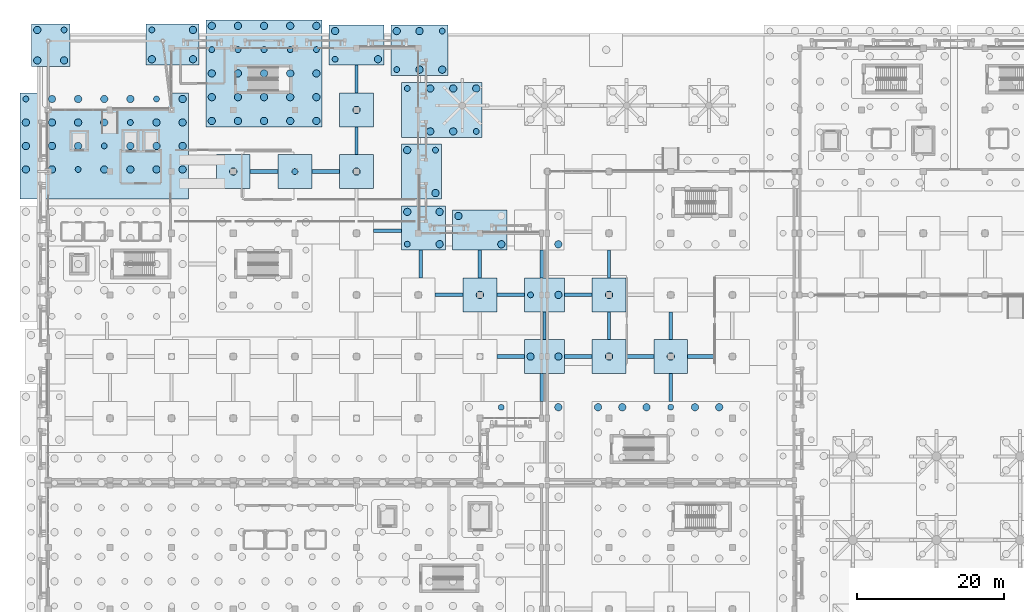
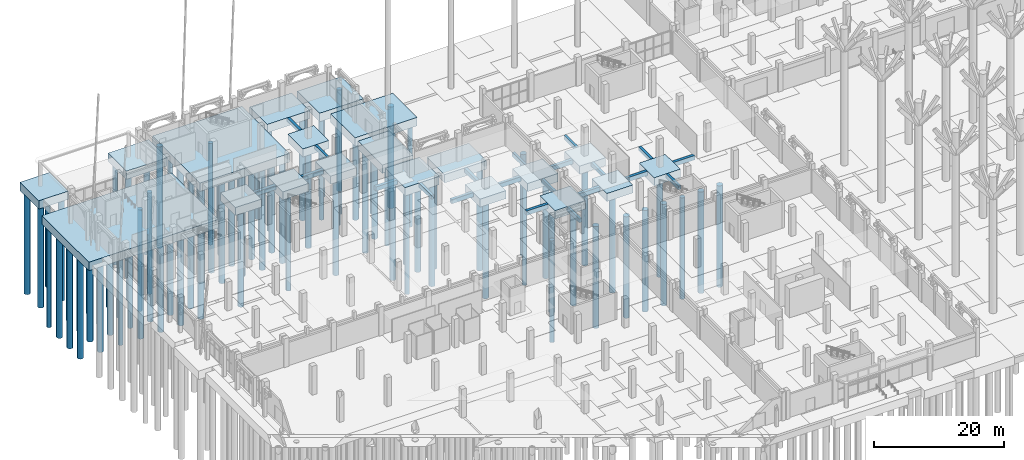
# One storey, part 5 of 98: 107 piles, 41 footings.
"""IFC4 building model written with IfcOpenShell, lengths in metres."""

import ifcopenshell
import ifcopenshell.guid

model = None  # the IFC model being written
_history = None  # IfcOwnerHistory: only IFC2X3 demands one
_inside = {}  # id of a spatial element -> (the spatial element, [elements in it])
_under = {}  # id of a project, library or spatial element -> (it, [spatial elements below it])
_declared = {}  # id of a project -> (the project, [libraries it declares])
_typed = {}  # id of a type object -> (the type object, [elements of that type])
_made_of = {}  # id of a material, layer set ... -> (it, [elements and type objects made of it])


def new_model(schema):
    """Start an empty IFC model of exactly this schema.

    Asked for "IFC4X3", IfcOpenShell would pick the latest addendum, in which some entities
    have other attributes; the version numbers below select the first issue.
    IFC2X3 requires an IfcOwnerHistory on every rooted entity: one is made here for all.
    """
    global model, _history
    if schema == "IFC4X3":
        model = ifcopenshell.file(schema_version=(4, 3, 0, 0))
    else:
        model = ifcopenshell.file(schema=schema)
    _inside.clear()
    _under.clear()
    _declared.clear()
    _typed.clear()
    _made_of.clear()
    _history = None
    if model.schema == "IFC2X3":
        org = make("IfcOrganization", Name="unknown")
        user = make(
            "IfcPersonAndOrganization",
            ThePerson=make("IfcPerson", FamilyName="unknown"),
            TheOrganization=org,
        )
        app = make(
            "IfcApplication",
            ApplicationDeveloper=org,
            Version="unknown",
            ApplicationFullName="unknown",
            ApplicationIdentifier="unknown",
        )
        _history = make(
            "IfcOwnerHistory",
            OwningUser=user,
            OwningApplication=app,
            ChangeAction="ADDED",
            CreationDate=0,
        )
    return model


def make(cls, **values):
    """One entity of the class cls with the attributes given. An attribute that is None is left unset."""
    return model.create_entity(
        cls, **{name: value for name, value in values.items() if value is not None}
    )


def rooted(cls, **values):
    """An entity with a GlobalId (a new one), such as an element, a storey or a relation."""
    return make(cls, GlobalId=ifcopenshell.guid.new(), OwnerHistory=_history, **values)


def si_unit(unit_type, name, prefix=None):
    """IfcSIUnit, for example si_unit("LENGTHUNIT", "METRE", prefix="MILLI")."""
    return make("IfcSIUnit", UnitType=unit_type, Prefix=prefix, Name=name)


def assignment(units):
    """IfcUnitAssignment: the units of a project."""
    return None if units is None else make("IfcUnitAssignment", Units=units)


def point(xyz):
    """IfcCartesianPoint."""
    return None if xyz is None else make("IfcCartesianPoint", Coordinates=xyz)


def direction(xyz):
    """IfcDirection."""
    return None if xyz is None else make("IfcDirection", DirectionRatios=xyz)


def frame(location, z_axis=None, x_axis=None):
    """IfcAxis2Placement3D, a coordinate frame: its origin and axes. An axis left out is left unset."""
    return make(
        "IfcAxis2Placement3D",
        Location=point(location),
        Axis=direction(z_axis),
        RefDirection=direction(x_axis),
    )


def frame_2d(location, x_axis=None):
    """IfcAxis2Placement2D, a coordinate frame in the plane: its origin and x axis."""
    return make(
        "IfcAxis2Placement2D", Location=point(location), RefDirection=direction(x_axis)
    )


def origin():
    """The frame at (0, 0, 0) with its axes left unset."""
    return frame((0.0, 0.0, 0.0))


def origin_2d():
    """The frame at (0, 0) in the plane with its x axis left unset."""
    return frame_2d((0.0, 0.0))


def place(relative_to, where):
    """IfcLocalPlacement: puts the frame where relative to a parent placement (None: the world)."""
    return make(
        "IfcLocalPlacement", PlacementRelTo=relative_to, RelativePlacement=where
    )


def context(
    kind, dimensions, precision=None, world=None, true_north=None, identifier=None
):
    """IfcGeometricRepresentationContext, for example the 3D "Model" context."""
    return make(
        "IfcGeometricRepresentationContext",
        ContextIdentifier=identifier,
        ContextType=kind,
        CoordinateSpaceDimension=dimensions,
        Precision=precision,
        WorldCoordinateSystem=world,
        TrueNorth=true_north,
    )


def subcontext(parent, identifier, kind, view, scale=None):
    """IfcGeometricRepresentationSubContext, for example "Body" below "Model"."""
    return make(
        "IfcGeometricRepresentationSubContext",
        ContextIdentifier=identifier,
        ContextType=kind,
        ParentContext=parent,
        TargetScale=scale,
        TargetView=view,
    )


def project(units=None, contexts=None):
    """IfcProject with its units and contexts."""
    return rooted(
        "IfcProject",
        Name="project",
        RepresentationContexts=contexts,
        UnitsInContext=assignment(units),
    )


def spatial(cls, under=None, at=None, **own):
    """A site, building, storey or space (cls), placed at a placement, below another one or the project."""
    s = rooted(cls, ObjectPlacement=at, **own)
    if under is not None:
        _under.setdefault(under.id(), (under, []))[1].append(s)
    return s


def profile(cls, at=None, kind="AREA", **sizes):
    """A parametric profile (cls). Its sizes go by their IFC names, for example OverallWidth=200.0."""
    return make(cls, ProfileType=kind, Position=at, **sizes)


def rectangle(**sizes):
    """IfcRectangleProfileDef."""
    return profile("IfcRectangleProfileDef", **sizes)


def circle(**sizes):
    """IfcCircleProfileDef."""
    return profile("IfcCircleProfileDef", **sizes)


def extrude(swept, where, along, depth):
    """IfcExtrudedAreaSolid: the profile swept, set in the frame where, extruded along a direction by depth."""
    return make(
        "IfcExtrudedAreaSolid",
        SweptArea=swept,
        Position=where,
        ExtrudedDirection=direction(along),
        Depth=depth,
    )


def shape(context_of_items, identifier, shape_type, items):
    """IfcShapeRepresentation: the items that make up one representation, for example the "Body"."""
    return make(
        "IfcShapeRepresentation",
        ContextOfItems=context_of_items,
        RepresentationIdentifier=identifier,
        RepresentationType=shape_type,
        Items=items,
    )


def material(Name=None, Category=None):
    """IfcMaterial."""
    return make("IfcMaterial", Name=Name, Category=Category)


def material_profile(
    of_material, cross_section, Name=None, Category=None, Priority=None
):
    """IfcMaterialProfile: a cross section and its material."""
    return make(
        "IfcMaterialProfile",
        Name=Name,
        Material=of_material,
        Profile=cross_section,
        Priority=Priority,
        Category=Category,
    )


def profile_set(profiles, Name=None, composite=None):
    """IfcMaterialProfileSet."""
    return make(
        "IfcMaterialProfileSet",
        Name=Name,
        MaterialProfiles=profiles,
        CompositeProfile=composite,
    )


def made_of(thing, what):
    """Note that an element or type object is made of a material, layer set ...; save() writes the relation."""
    if what is not None:
        _made_of.setdefault(what.id(), (what, []))[1].append(thing)
    return thing


def type_object(cls, material=None, **own):
    """A type object (cls), such as IfcWallType, which elements share."""
    return made_of(rooted(cls, **own), material)


def element(
    cls,
    number,
    at=None,
    inside=None,
    cuts=None,
    type_object=None,
    material=None,
    context=None,
    identifier="Body",
    shape_type=None,
    held_by="IfcProductDefinitionShape",
    body=None,
    shapes=None,
    **own,
):
    """One element of the class cls, such as IfcWall. Its Tag is "e" and its number.

    at: its placement. inside: the storey or other place that contains it. cuts: it is an
    opening in that element (IfcRelVoidsElement). A single representation is given by context,
    identifier, shape_type and body (its items); several are given by shapes. held_by: the class
    of the entity that holds the representations. save() writes the other relations.
    """
    e = rooted(cls, Tag="e%d" % number, ObjectPlacement=at, **own)
    if body is not None:
        shapes = [shape(context, identifier, shape_type, body)]
    if shapes is not None:
        e.Representation = make(held_by, Representations=shapes)
    if inside is not None:
        _inside.setdefault(inside.id(), (inside, []))[1].append(e)
    if cuts is not None:
        rooted(
            "IfcRelVoidsElement", RelatingBuildingElement=cuts, RelatedOpeningElement=e
        )
    if type_object is not None:
        _typed.setdefault(type_object.id(), (type_object, []))[1].append(e)
    return made_of(e, material)


def aggregate(whole, parts):
    """IfcRelAggregates: a whole, such as a stair, and the parts it consists of."""
    return rooted("IfcRelAggregates", RelatingObject=whole, RelatedObjects=parts)


def save(model, path):
    """Write the relations noted so far, then the file.

    IfcRelAggregates (storeys below a building ...), IfcRelContainedInSpatialStructure (elements
    in a storey), IfcRelDefinesByType, IfcRelAssociatesMaterial and IfcRelDeclares: one each for
    every whole, place, type object, material and project.
    """
    for whole, parts in _under.values():
        aggregate(whole, parts)
    for where, things in _inside.values():
        rooted(
            "IfcRelContainedInSpatialStructure",
            RelatedElements=things,
            RelatingStructure=where,
        )
    for kind, things in _typed.values():
        rooted("IfcRelDefinesByType", RelatedObjects=things, RelatingType=kind)
    for what, things in _made_of.values():
        rooted("IfcRelAssociatesMaterial", RelatedObjects=things, RelatingMaterial=what)
    for by, libraries in _declared.values():
        rooted("IfcRelDeclares", RelatingContext=by, RelatedDefinitions=libraries)
    model.write(path)


model = new_model("IFC4")

# Units and contexts
model_context = context("Model", 3, precision=1e-05, world=origin(), true_north=direction((0.0, 1.0)))
body_context = subcontext(model_context, "Body", "Model", "MODEL_VIEW")
ifc_project = project(units=[si_unit("LENGTHUNIT", "METRE"), si_unit("AREAUNIT", "SQUARE_METRE"), si_unit("VOLUMEUNIT", "CUBIC_METRE"), si_unit("PLANEANGLEUNIT", "RADIAN"), si_unit("MASSUNIT", "GRAM", prefix="KILO")], contexts=[model_context])

# Site, building, storey
site_placement = place(None, origin())
site = spatial("IfcSite", under=ifc_project, at=site_placement, CompositionType="ELEMENT")
building_placement = place(site_placement, origin())
building = spatial("IfcBuilding", under=site, at=building_placement, Name="Xazarin Passage Department Store", CompositionType="ELEMENT")
storey_placement = place(building_placement, origin())
storey = spatial("IfcBuildingStorey", under=building, at=storey_placement, Name="L00", CompositionType="ELEMENT", Elevation=0.0)

# Footings
ifc_material = material(Name="Concrete C35/45", Category="concrete")
footing_type_1 = type_object("IfcFootingType", Name="STR-CAP-PC11", PredefinedType="PILE_CAP", material=ifc_material)
for number, where, z_axis, x_axis, name in (
    (1, (76.39990234375, 68.0, -1.5), (0.0, 0.0, 1.0), (1.0, 0.0, 0.0), "Pile Cap 101"),
    (2, (84.800048828125, 68.0, -1.5), (0.0, 0.0, 1.0), (1.0, 0.0, 0.0), "Pile Cap 102"),
    (3, (58.800048828125, 76.39990234375, -1.5), (0.0, 0.0, 1.0), (1.0, 0.0, 0.0), "Pile Cap 108"),
    (4, (76.39990234375, 76.39990234375, -1.5), (0.0, 0.0, 1.0), (1.0, 0.0, 0.0), "Pile Cap 110"),
    (5, (25.199951171875, 93.199951171875, -1.5), (0.0, 0.0, 1.0), (1.0, 0.0, 0.0), "Pile Cap 138"),
    (6, (33.60009765625, 93.199951171875, -1.5), (0.0, 0.0, 1.0), (1.0, 0.0, 0.0), "Pile Cap 139"),
    (7, (42.0, 93.199951171875, -1.5), (0.0, 0.0, 1.0), (1.0, 0.0, 0.0), "Pile Cap 140"),
    (8, (42.0, 101.60009765625, -1.5), (0.0, 0.0, 1.0), (1.0, 0.0, 0.0), "Pile Cap 152"),
):
    element("IfcFooting", number, at=place(storey_placement, frame(where, z_axis=z_axis, x_axis=x_axis)), inside=storey, type_object=footing_type_1, Name=name, PredefinedType="PILE_CAP", context=body_context, shape_type="SweptSolid", body=[
        extrude(rectangle(XDim=4.60009765625, YDim=4.60009765625, at=origin_2d()), origin(), (0.0, 0.0, 1.0), 1.5),
    ])
footing_type_2 = type_object("IfcFootingType", Name="STR-CAP-PC13", PredefinedType="PILE_CAP", material=ifc_material)
for number, where, z_axis, x_axis, name in (
    (9, (67.60009765625, 68.0, -1.5498046875), (0.0, 0.0, 1.0), (1.0, 0.0, 0.0), "Pile Cap 100"),
    (10, (67.60009765625, 76.39990234375, -1.5498046875), (0.0, 0.0, 1.0), (1.0, 0.0, 0.0), "Pile Cap 109"),
):
    element("IfcFooting", number, at=place(storey_placement, frame(where, z_axis=z_axis, x_axis=x_axis)), inside=storey, type_object=footing_type_2, Name=name, PredefinedType="PILE_CAP", context=body_context, shape_type="SweptSolid", body=[
        extrude(rectangle(XDim=5.39990234375, YDim=4.60009765625, at=origin_2d()), origin(), (0.0, 0.0, 1.0), 1.550048828125),
    ])
footing_type_3 = type_object("IfcFootingType", Name="STR-CAP-PC15", PredefinedType="PILE_CAP", material=ifc_material)
footing_1_placement = place(storey_placement, frame((51.110107421875, 85.510009765625, -1.5498046875), z_axis=(0.0, 0.0, 1.0), x_axis=(1.0, 0.0, 0.0)))
element("IfcFooting", 11, at=footing_1_placement, inside=storey, type_object=footing_type_3, Name="Pile Cap 124", PredefinedType="PILE_CAP", context=body_context, shape_type="SweptSolid", body=[
    extrude(rectangle(XDim=6.0, YDim=6.0, at=origin_2d()), origin(), (0.0, 0.0, 1.0), 1.550048828125),
])
footing_type_4 = type_object("IfcFootingType", Name="STR-CAP-PC30", PredefinedType="PILE_CAP", material=ifc_material)
footing_2_placement = place(storey_placement, frame((7.625, 96.68994140625, -1.60009765625), z_axis=(0.0, 0.0, 1.0), x_axis=(1.0, 0.0, 0.0)))
element("IfcFooting", 12, at=footing_2_placement, inside=storey, type_object=footing_type_4, Name="Pile Cap 136", PredefinedType="PILE_CAP", context=body_context, shape_type="SweptSolid", body=[
    extrude(rectangle(XDim=22.949951171875, YDim=14.39990234375, at=origin_2d()), origin(), (0.0, 0.0, 1.0), 1.60009765625),
])
footing_type_5 = type_object("IfcFootingType", Name="STR-CAP-PC33", PredefinedType="PILE_CAP", material=ifc_material)
footing_3_placement = place(storey_placement, frame((53.60009765625, 101.60009765625, -1.60009765625), z_axis=(0.0, 0.0, 1.0), x_axis=(1.0, 0.0, 0.0)))
element("IfcFooting", 13, at=footing_3_placement, inside=storey, type_object=footing_type_5, Name="Pile Cap 149", PredefinedType="PILE_CAP", context=body_context, shape_type="SweptSolid", body=[
    extrude(rectangle(XDim=11.0, YDim=7.449951171875, at=origin_2d()), origin(), (0.0, 0.0, 1.0), 1.60009765625),
])
footing_type_6 = type_object("IfcFootingType", Name="STR-CAP-PC35", PredefinedType="PILE_CAP", material=ifc_material)
footing_4_placement = place(storey_placement, frame((29.39990234375, 106.574951171875, -1.60009765625), z_axis=(0.0, 0.0, 1.0), x_axis=(1.0, 0.0, 0.0)))
element("IfcFooting", 14, at=footing_4_placement, inside=storey, type_object=footing_type_6, Name="Pile Cap 151", PredefinedType="PILE_CAP", context=body_context, shape_type="SweptSolid", body=[
    extrude(rectangle(XDim=15.85009765625, YDim=14.550048828125, at=origin_2d()), origin(), (0.0, 0.0, 1.0), 1.60009765625),
])
footing_type_7 = type_object("IfcFootingType", Name="STR-CAP-PC36", PredefinedType="PILE_CAP", material=ifc_material)
footing_5_placement = place(storey_placement, frame((50.570068359375, 109.715087890625, -1.60009765625), z_axis=(0.0, 0.0, 1.0), x_axis=(1.0, 0.0, 0.0)))
element("IfcFooting", 15, at=footing_5_placement, inside=storey, type_object=footing_type_7, Name="Pile Cap 159", PredefinedType="PILE_CAP", context=body_context, shape_type="SweptSolid", body=[
    extrude(rectangle(XDim=7.800048828125, YDim=6.85009765625, at=origin_2d()), origin(), (0.0, 0.0, 1.0), 1.60009765625),
])
footing_type_8 = type_object("IfcFootingType", Name="STR-CAP-PC37", PredefinedType="PILE_CAP", material=ifc_material)
footing_6_placement = place(storey_placement, frame((0.330078125, 110.419921875, -1.5498046875), z_axis=(0.0, 0.0, 1.0), x_axis=(0.0, 1.0, 0.0)))
element("IfcFooting", 16, at=footing_6_placement, inside=storey, type_object=footing_type_8, Name="Pile Cap 161", PredefinedType="PILE_CAP", context=body_context, shape_type="SweptSolid", body=[
    extrude(rectangle(XDim=5.75, YDim=5.25, at=origin_2d()), origin(), (0.0, 0.0, 1.0), 1.550048828125),
])
footing_type_9 = type_object("IfcFootingType", Name="STR-CAP-PC38", PredefinedType="PILE_CAP", material=ifc_material)
footing_7_placement = place(storey_placement, frame((16.909912109375, 110.5, -1.5498046875), z_axis=(0.0, 0.0, 1.0), x_axis=(1.0, 0.0, 0.0)))
element("IfcFooting", 17, at=footing_7_placement, inside=storey, type_object=footing_type_9, Name="Pile Cap 163", PredefinedType="PILE_CAP", context=body_context, shape_type="SweptSolid", body=[
    extrude(rectangle(XDim=7.199951171875, YDim=5.60009765625, at=origin_2d()), origin(), (0.0, 0.0, 1.0), 1.550048828125),
])
footing_type_10 = type_object("IfcFootingType", Name="STR-CAP-PC8", PredefinedType="PILE_CAP", material=ifc_material)
for number, where, z_axis, x_axis, name in (
    (18, (58.800048828125, 85.22509765625, -1.5498046875), (0.0, 0.0, 1.0), (1.0, 0.0, 0.0), "Pile Cap 125"),
    (19, (50.824951171875, 93.199951171875, -1.5498046875), (0.0, 0.0, 1.0), (0.0, 1.0, 0.0), "Pile Cap 137"),
    (20, (42.0, 110.425048828125, -1.5498046875), (0.0, 0.0, 1.0), (1.0, 0.0, 0.0), "Pile Cap 164"),
):
    element("IfcFooting", number, at=place(storey_placement, frame(where, z_axis=z_axis, x_axis=x_axis)), inside=storey, type_object=footing_type_10, Name=name, PredefinedType="PILE_CAP", context=body_context, shape_type="SweptSolid", body=[
        extrude(rectangle(XDim=7.449951171875, YDim=5.449951171875, at=origin_2d()), origin(), (0.0, 0.0, 1.0), 1.550048828125),
    ])
ifc_material_profile_1 = material_profile(ifc_material, rectangle(XDim=0.449951171875, YDim=0.699951171875, at=origin_2d()), Name="RC 450x700")
ifc_profile_set_1 = profile_set([ifc_material_profile_1], Name="Concrete C35/45")
footing_type_11 = type_object("IfcFootingType", Name="STR-FTG-TB450x700", PredefinedType="FOOTING_BEAM", material=ifc_profile_set_1)
for number, where, z_axis, x_axis, name in (
    (21, (84.800048828125, 61.89990234375, -0.35009765625), (0.0, 1.0, 0.0), (-1.0, 0.0, 0.0), "Ground Tie Beam 068"),
    (22, (67.2451171875, 61.89990234375, -0.35009765625), (0.0, 1.0, 0.0), (-1.0, 0.0, 0.0), "Ground Tie Beam 079"),
    (23, (67.60009765625, 70.300048828125, -0.35009765625), (0.0, 1.0, 0.0), (-1.0, 0.0, 0.0), "Ground Tie Beam 105"),
    (24, (76.39990234375, 70.300048828125, -0.35009765625), (0.0, 1.0, 0.0), (-1.0, 0.0, 0.0), "Ground Tie Beam 107"),
    (25, (84.800048828125, 70.300048828125, -0.35009765625), (0.0, 1.0, 0.0), (-1.0, 0.0, 0.0), "Ground Tie Beam 109"),
):
    element("IfcFooting", number, at=place(storey_placement, frame(where, z_axis=z_axis, x_axis=x_axis)), inside=storey, type_object=footing_type_11, Name=name, PredefinedType="FOOTING_BEAM", context=body_context, shape_type="SweptSolid", body=[
        extrude(rectangle(XDim=0.449951171875, YDim=0.699951171875, at=origin_2d()), origin(), (0.0, 0.0, 1.0), 3.800048828125),
    ])
footing_8_placement = place(storey_placement, frame((50.7548828125, 78.699951171875, -0.35009765625), z_axis=(0.0, 1.0, 0.0), x_axis=(-1.0, 0.0, 0.0)))
element("IfcFooting", 26, at=footing_8_placement, inside=storey, type_object=footing_type_11, Name="Ground Tie Beam 115", PredefinedType="FOOTING_BEAM", context=body_context, shape_type="SweptSolid", body=[
    extrude(rectangle(XDim=0.449951171875, YDim=0.699951171875, at=origin_2d()), origin(), (0.0, 0.0, 1.0), 3.81005859375),
])
for number, where, z_axis, x_axis, name in (
    (27, (58.800048828125, 78.699951171875, -0.35009765625), (0.0, 1.0, 0.0), (-1.0, 0.0, 0.0), "Ground Tie Beam 117"),
    (28, (67.2451171875, 78.699951171875, -0.35009765625), (0.0, 1.0, 0.0), (-1.0, 0.0, 0.0), "Ground Tie Beam 119"),
    (29, (76.39990234375, 78.699951171875, -0.35009765625), (0.0, 1.0, 0.0), (-1.0, 0.0, 0.0), "Ground Tie Beam 121"),
    (30, (42.0, 95.5, -0.35009765625), (0.0, 1.0, 0.0), (-1.0, 0.0, 0.0), "Ground Tie Beam 154"),
    (31, (42.0, 103.89990234375, -0.35009765625), (0.0, 1.0, 0.0), (-1.0, 0.0, 0.0), "Ground Tie Beam 165"),
):
    element("IfcFooting", number, at=place(storey_placement, frame(where, z_axis=z_axis, x_axis=x_axis)), inside=storey, type_object=footing_type_11, Name=name, PredefinedType="FOOTING_BEAM", context=body_context, shape_type="SweptSolid", body=[
        extrude(rectangle(XDim=0.449951171875, YDim=0.699951171875, at=origin_2d()), origin(), (0.0, 0.0, 1.0), 3.800048828125),
    ])
ifc_material_profile_2 = material_profile(ifc_material, rectangle(XDim=0.5, YDim=0.800048828125, at=origin_2d()), Name="RC 500x800")
ifc_profile_set_2 = profile_set([ifc_material_profile_2], Name="Concrete C35/45")
footing_type_12 = type_object("IfcFootingType", Name="STR-FTG-TB500x800", PredefinedType="FOOTING_BEAM", material=ifc_profile_set_2)
footing_9_placement = place(storey_placement, frame((61.10009765625, 68.0, -0.39990234375), z_axis=(1.0, 0.0, 0.0), x_axis=(0.0, 1.0, 0.0)))
element("IfcFooting", 32, at=footing_9_placement, inside=storey, type_object=footing_type_12, Name="Ground Tie Beam 102", PredefinedType="FOOTING_BEAM", context=body_context, shape_type="SweptSolid", body=[
    extrude(rectangle(XDim=0.5, YDim=0.800048828125, at=origin_2d()), origin(), (0.0, 0.0, 1.0), 3.7998046875),
])
for number, where, z_axis, x_axis, name in (
    (33, (70.300048828125, 68.0, -0.39990234375), (1.0, 0.0, 0.0), (0.0, 1.0, 0.0), "Ground Tie Beam 104"),
    (34, (78.699951171875, 68.0, -0.39990234375), (1.0, 0.0, 0.0), (0.0, 1.0, 0.0), "Ground Tie Beam 106"),
):
    element("IfcFooting", number, at=place(storey_placement, frame(where, z_axis=z_axis, x_axis=x_axis)), inside=storey, type_object=footing_type_12, Name=name, PredefinedType="FOOTING_BEAM", context=body_context, shape_type="SweptSolid", body=[
        extrude(rectangle(XDim=0.5, YDim=0.800048828125, at=origin_2d()), origin(), (0.0, 0.0, 1.0), 3.800048828125),
    ])
footing_10_placement = place(storey_placement, frame((87.10009765625, 68.0, -0.39990234375), z_axis=(1.0, 0.0, 0.0), x_axis=(0.0, 1.0, 0.0)))
element("IfcFooting", 35, at=footing_10_placement, inside=storey, type_object=footing_type_12, Name="Ground Tie Beam 108", PredefinedType="FOOTING_BEAM", context=body_context, shape_type="SweptSolid", body=[
    extrude(rectangle(XDim=0.5, YDim=0.800048828125, at=origin_2d()), origin(), (0.0, 0.0, 1.0), 3.7998046875),
])
footing_11_placement = place(storey_placement, frame((52.699951171875, 76.39990234375, -0.39990234375), z_axis=(1.0, 0.0, 0.0), x_axis=(0.0, 1.0, 0.0)))
element("IfcFooting", 36, at=footing_11_placement, inside=storey, type_object=footing_type_12, Name="Ground Tie Beam 114", PredefinedType="FOOTING_BEAM", context=body_context, shape_type="SweptSolid", body=[
    extrude(rectangle(XDim=0.5, YDim=0.800048828125, at=origin_2d()), origin(), (0.0, 0.0, 1.0), 3.800048828125),
])
footing_12_placement = place(storey_placement, frame((61.10009765625, 76.39990234375, -0.39990234375), z_axis=(1.0, 0.0, 0.0), x_axis=(0.0, 1.0, 0.0)))
element("IfcFooting", 37, at=footing_12_placement, inside=storey, type_object=footing_type_12, Name="Ground Tie Beam 116", PredefinedType="FOOTING_BEAM", context=body_context, shape_type="SweptSolid", body=[
    extrude(rectangle(XDim=0.5, YDim=0.800048828125, at=origin_2d()), origin(), (0.0, 0.0, 1.0), 3.7998046875),
])
footing_13_placement = place(storey_placement, frame((70.300048828125, 76.39990234375, -0.39990234375), z_axis=(1.0, 0.0, 0.0), x_axis=(0.0, 1.0, 0.0)))
element("IfcFooting", 38, at=footing_13_placement, inside=storey, type_object=footing_type_12, Name="Ground Tie Beam 118", PredefinedType="FOOTING_BEAM", context=body_context, shape_type="SweptSolid", body=[
    extrude(rectangle(XDim=0.5, YDim=0.800048828125, at=origin_2d()), origin(), (0.0, 0.0, 1.0), 3.800048828125),
])
footing_14_placement = place(storey_placement, frame((44.300048828125, 85.155029296875, -0.39990234375), z_axis=(1.0, 0.0, 0.0), x_axis=(0.0, 1.0, 0.0)))
element("IfcFooting", 39, at=footing_14_placement, inside=storey, type_object=footing_type_12, Name="Ground Tie Beam 139", PredefinedType="FOOTING_BEAM", context=body_context, shape_type="SweptSolid", body=[
    extrude(rectangle(XDim=0.5, YDim=0.800048828125, at=origin_2d()), origin(), (0.0, 0.0, 1.0), 3.81005859375),
])
for number, where, z_axis, x_axis, name in (
    (40, (27.5, 93.199951171875, -0.39990234375), (1.0, 0.0, 0.0), (0.0, 1.0, 0.0), "Ground Tie Beam 152"),
    (41, (35.89990234375, 93.199951171875, -0.39990234375), (1.0, 0.0, 0.0), (0.0, 1.0, 0.0), "Ground Tie Beam 153"),
):
    element("IfcFooting", number, at=place(storey_placement, frame(where, z_axis=z_axis, x_axis=x_axis)), inside=storey, type_object=footing_type_12, Name=name, PredefinedType="FOOTING_BEAM", context=body_context, shape_type="SweptSolid", body=[
        extrude(rectangle(XDim=0.5, YDim=0.800048828125, at=origin_2d()), origin(), (0.0, 0.0, 1.0), 3.800048828125),
    ])

# Piles
ifc_material_profile_3 = material_profile(ifc_material, circle(Radius=0.5, at=origin_2d()), Name="BP 1000")
ifc_profile_set_3 = profile_set([ifc_material_profile_3], Name="Concrete C35/45")
pile_type_1 = type_object("IfcPileType", Name="STR-PIL-BP1000", PredefinedType="BORED", material=ifc_profile_set_3)
for number, where, z_axis, x_axis, name in (
    (42, (74.89990234375, 61.10009765625, -1.5), (0.0, 0.0, -1.0), (1.0, 0.0, 0.0), "Bored Pile 067-7"),
    (43, (78.199951171875, 61.10009765625, -1.5), (0.0, 0.0, -1.0), (1.0, 0.0, 0.0), "Bored Pile 067-14"),
    (44, (81.5, 61.10009765625, -1.5), (0.0, 0.0, -1.0), (1.0, 0.0, 0.0), "Bored Pile 067-21"),
    (45, (88.10009765625, 61.10009765625, -1.5), (0.0, 0.0, -1.0), (1.0, 0.0, 0.0), "Bored Pile 067-35"),
    (46, (91.39990234375, 61.10009765625, -1.5), (0.0, 0.0, -1.0), (1.0, 0.0, 0.0), "Bored Pile 067-42"),
):
    element("IfcPile", number, at=place(storey_placement, frame(where, z_axis=z_axis, x_axis=x_axis)), inside=storey, type_object=pile_type_1, Name=name, PredefinedType="BORED", context=body_context, shape_type="SweptSolid", body=[
        extrude(circle(Radius=0.5, at=origin_2d()), origin(), (0.0, 0.0, 1.0), 19.0),
    ])
for number, where, z_axis, x_axis, name in (
    (47, (69.489990234375, 61.10009765625, -1.449951171875), (0.0, 0.0, -1.0), (1.0, 0.0, 0.0), "Bored Pile 084-3"),
    (48, (65.699951171875, 68.0, -1.449951171875), (0.0, 0.0, -1.0), (1.0, 0.0, 0.0), "Bored Pile 100-1"),
    (49, (69.5, 68.0, -1.449951171875), (0.0, 0.0, -1.0), (1.0, 0.0, 0.0), "Bored Pile 100-2"),
):
    element("IfcPile", number, at=place(storey_placement, frame(where, z_axis=z_axis, x_axis=x_axis)), inside=storey, type_object=pile_type_1, Name=name, PredefinedType="BORED", context=body_context, shape_type="SweptSolid", body=[
        extrude(circle(Radius=0.5, at=origin_2d()), origin(), (0.0, 0.0, 1.0), 19.050048828125),
    ])
for number, where, z_axis, x_axis, name in (
    (50, (76.39990234375, 68.0, -1.39990234375), (0.0, 0.0, -1.0), (1.0, 0.0, 0.0), "Bored Pile 101-1"),
    (51, (84.800048828125, 68.0, -1.39990234375), (0.0, 0.0, -1.0), (1.0, 0.0, 0.0), "Bored Pile 102-1"),
    (52, (58.800048828125, 76.39990234375, -1.39990234375), (0.0, 0.0, -1.0), (1.0, 0.0, 0.0), "Bored Pile 108-1"),
):
    element("IfcPile", number, at=place(storey_placement, frame(where, z_axis=z_axis, x_axis=x_axis)), inside=storey, type_object=pile_type_1, Name=name, PredefinedType="BORED", context=body_context, shape_type="SweptSolid", body=[
        extrude(circle(Radius=0.5, at=origin_2d()), origin(), (0.0, 0.0, 1.0), 19.10009765625),
    ])
pile_1_placement = place(storey_placement, frame((69.5, 76.39990234375, -1.449951171875), z_axis=(0.0, 0.0, -1.0), x_axis=(1.0, 0.0, 0.0)))
element("IfcPile", 53, at=pile_1_placement, inside=storey, type_object=pile_type_1, Name="Bored Pile 109-2", PredefinedType="BORED", context=body_context, shape_type="SweptSolid", body=[
    extrude(circle(Radius=0.5, at=origin_2d()), origin(), (0.0, 0.0, 1.0), 19.050048828125),
])
pile_2_placement = place(storey_placement, frame((76.39990234375, 76.39990234375, -1.39990234375), z_axis=(0.0, 0.0, -1.0), x_axis=(1.0, 0.0, 0.0)))
element("IfcPile", 54, at=pile_2_placement, inside=storey, type_object=pile_type_1, Name="Bored Pile 110-1", PredefinedType="BORED", context=body_context, shape_type="SweptSolid", body=[
    extrude(circle(Radius=0.5, at=origin_2d()), origin(), (0.0, 0.0, 1.0), 19.10009765625),
])
for number, where, z_axis, x_axis, name in (
    (55, (48.909912109375, 87.7099609375, -1.449951171875), (0.0, 0.0, -1.0), (1.0, 0.0, 0.0), "Bored Pile 124-2"),
    (56, (53.31005859375, 83.31005859375, -1.449951171875), (0.0, 0.0, -1.0), (1.0, 0.0, 0.0), "Bored Pile 124-3"),
    (57, (53.31005859375, 87.7099609375, -1.449951171875), (0.0, 0.0, -1.0), (1.0, 0.0, 0.0), "Bored Pile 124-4"),
    (58, (55.875, 87.14990234375, -1.449951171875), (0.0, 0.0, -1.0), (1.0, 0.0, 0.0), "Bored Pile 125-1"),
    (59, (61.72509765625, 83.300048828125, -1.449951171875), (0.0, 0.0, -1.0), (1.0, 0.0, 0.0), "Bored Pile 125-2"),
    (60, (69.489990234375, 83.300048828125, -1.449951171875), (0.0, 0.0, -1.0), (1.0, 0.0, 0.0), "Bored Pile 126-1"),
):
    element("IfcPile", number, at=place(storey_placement, frame(where, z_axis=z_axis, x_axis=x_axis)), inside=storey, type_object=pile_type_1, Name=name, PredefinedType="BORED", context=body_context, shape_type="SweptSolid", body=[
        extrude(circle(Radius=0.5, at=origin_2d()), origin(), (0.0, 0.0, 1.0), 19.050048828125),
    ])
for number, where, z_axis, x_axis, name in (
    (61, (-3.050048828125, 93.489990234375, -1.5), (0.0, 0.0, -1.0), (1.0, 0.0, 0.0), "Bored Pile 136-1"),
    (62, (-3.050048828125, 96.68994140625, -1.5), (0.0, 0.0, -1.0), (1.0, 0.0, 0.0), "Bored Pile 136-2"),
    (63, (-3.050048828125, 99.889892578125, -1.5), (0.0, 0.0, -1.0), (1.0, 0.0, 0.0), "Bored Pile 136-3"),
    (64, (0.50830078125, 93.489990234375, -1.5), (0.0, 0.0, -1.0), (1.0, 0.0, 0.0), "Bored Pile 136-5"),
    (65, (0.50830078125, 96.68994140625, -1.5), (0.0, 0.0, -1.0), (1.0, 0.0, 0.0), "Bored Pile 136-6"),
    (66, (0.50830078125, 99.889892578125, -1.5), (0.0, 0.0, -1.0), (1.0, 0.0, 0.0), "Bored Pile 136-7"),
    (67, (0.50830078125, 103.090087890625, -1.5), (0.0, 0.0, -1.0), (1.0, 0.0, 0.0), "Bored Pile 136-8"),
    (68, (4.066650390625, 96.68994140625, -1.5), (0.0, 0.0, -1.0), (1.0, 0.0, 0.0), "Bored Pile 136-10"),
    (69, (4.066650390625, 99.889892578125, -1.5), (0.0, 0.0, -1.0), (1.0, 0.0, 0.0), "Bored Pile 136-11"),
    (70, (4.066650390625, 103.090087890625, -1.5), (0.0, 0.0, -1.0), (1.0, 0.0, 0.0), "Bored Pile 136-12"),
    (71, (7.625, 93.489990234375, -1.5), (0.0, 0.0, -1.0), (1.0, 0.0, 0.0), "Bored Pile 136-13"),
    (72, (7.625, 99.889892578125, -1.5), (0.0, 0.0, -1.0), (1.0, 0.0, 0.0), "Bored Pile 136-15"),
    (73, (7.625, 103.090087890625, -1.5), (0.0, 0.0, -1.0), (1.0, 0.0, 0.0), "Bored Pile 136-16"),
    (74, (11.183349609375, 93.489990234375, -1.5), (0.0, 0.0, -1.0), (1.0, 0.0, 0.0), "Bored Pile 136-17"),
    (75, (11.183349609375, 96.68994140625, -1.5), (0.0, 0.0, -1.0), (1.0, 0.0, 0.0), "Bored Pile 136-18"),
    (76, (11.183349609375, 103.090087890625, -1.5), (0.0, 0.0, -1.0), (1.0, 0.0, 0.0), "Bored Pile 136-20"),
    (77, (14.74169921875, 93.489990234375, -1.5), (0.0, 0.0, -1.0), (1.0, 0.0, 0.0), "Bored Pile 136-21"),
    (78, (14.74169921875, 96.68994140625, -1.5), (0.0, 0.0, -1.0), (1.0, 0.0, 0.0), "Bored Pile 136-22"),
    (79, (14.74169921875, 99.889892578125, -1.5), (0.0, 0.0, -1.0), (1.0, 0.0, 0.0), "Bored Pile 136-23"),
    (80, (18.300048828125, 93.489990234375, -1.5), (0.0, 0.0, -1.0), (1.0, 0.0, 0.0), "Bored Pile 136-25"),
    (81, (18.300048828125, 96.68994140625, -1.5), (0.0, 0.0, -1.0), (1.0, 0.0, 0.0), "Bored Pile 136-26"),
    (82, (18.300048828125, 99.889892578125, -1.5), (0.0, 0.0, -1.0), (1.0, 0.0, 0.0), "Bored Pile 136-27"),
    (83, (18.300048828125, 103.090087890625, -1.5), (0.0, 0.0, -1.0), (1.0, 0.0, 0.0), "Bored Pile 136-28"),
):
    element("IfcPile", number, at=place(storey_placement, frame(where, z_axis=z_axis, x_axis=x_axis)), inside=storey, type_object=pile_type_1, Name=name, PredefinedType="BORED", context=body_context, shape_type="SweptSolid", body=[
        extrude(circle(Radius=0.5, at=origin_2d()), origin(), (0.0, 0.0, 1.0), 19.0),
    ])
for number, where, z_axis, x_axis, name in (
    (84, (48.89990234375, 96.125, -1.449951171875), (0.0, 0.0, -1.0), (1.0, 0.0, 0.0), "Bored Pile 137-1"),
    (85, (52.75, 90.27490234375, -1.449951171875), (0.0, 0.0, -1.0), (1.0, 0.0, 0.0), "Bored Pile 137-2"),
):
    element("IfcPile", number, at=place(storey_placement, frame(where, z_axis=z_axis, x_axis=x_axis)), inside=storey, type_object=pile_type_1, Name=name, PredefinedType="BORED", context=body_context, shape_type="SweptSolid", body=[
        extrude(circle(Radius=0.5, at=origin_2d()), origin(), (0.0, 0.0, 1.0), 19.050048828125),
    ])
for number, where, z_axis, x_axis, name in (
    (86, (25.199951171875, 93.199951171875, -1.39990234375), (0.0, 0.0, -1.0), (1.0, 0.0, 0.0), "Bored Pile 138-1"),
    (87, (42.0, 93.199951171875, -1.39990234375), (0.0, 0.0, -1.0), (1.0, 0.0, 0.0), "Bored Pile 140-1"),
):
    element("IfcPile", number, at=place(storey_placement, frame(where, z_axis=z_axis, x_axis=x_axis)), inside=storey, type_object=pile_type_1, Name=name, PredefinedType="BORED", context=body_context, shape_type="SweptSolid", body=[
        extrude(circle(Radius=0.5, at=origin_2d()), origin(), (0.0, 0.0, 1.0), 19.10009765625),
    ])
for number, where, z_axis, x_axis, name in (
    (88, (52.033203125, 98.675048828125, -1.5), (0.0, 0.0, -1.0), (1.0, 0.0, 0.0), "Bored Pile 149-2"),
    (89, (52.033203125, 104.52490234375, -1.5), (0.0, 0.0, -1.0), (1.0, 0.0, 0.0), "Bored Pile 149-3"),
    (90, (55.166748046875, 98.675048828125, -1.5), (0.0, 0.0, -1.0), (1.0, 0.0, 0.0), "Bored Pile 149-4"),
    (91, (55.166748046875, 104.52490234375, -1.5), (0.0, 0.0, -1.0), (1.0, 0.0, 0.0), "Bored Pile 149-5"),
    (92, (58.300048828125, 104.52490234375, -1.5), (0.0, 0.0, -1.0), (1.0, 0.0, 0.0), "Bored Pile 149-7"),
    (93, (22.27490234375, 100.10009765625, -1.5), (0.0, 0.0, -1.0), (1.0, 0.0, 0.0), "Bored Pile 151-1"),
    (94, (22.27490234375, 103.33740234375, -1.5), (0.0, 0.0, -1.0), (1.0, 0.0, 0.0), "Bored Pile 151-2"),
    (95, (22.27490234375, 106.574951171875, -1.5), (0.0, 0.0, -1.0), (1.0, 0.0, 0.0), "Bored Pile 151-3"),
    (96, (22.27490234375, 113.050048828125, -1.5), (0.0, 0.0, -1.0), (1.0, 0.0, 0.0), "Bored Pile 151-5"),
    (97, (25.83740234375, 100.10009765625, -1.5), (0.0, 0.0, -1.0), (1.0, 0.0, 0.0), "Bored Pile 151-6"),
    (98, (25.83740234375, 103.33740234375, -1.5), (0.0, 0.0, -1.0), (1.0, 0.0, 0.0), "Bored Pile 151-7"),
    (99, (25.83740234375, 106.574951171875, -1.5), (0.0, 0.0, -1.0), (1.0, 0.0, 0.0), "Bored Pile 151-8"),
    (100, (25.83740234375, 113.050048828125, -1.5), (0.0, 0.0, -1.0), (1.0, 0.0, 0.0), "Bored Pile 151-10"),
    (101, (29.39990234375, 100.10009765625, -1.5), (0.0, 0.0, -1.0), (1.0, 0.0, 0.0), "Bored Pile 151-11"),
    (102, (29.39990234375, 103.33740234375, -1.5), (0.0, 0.0, -1.0), (1.0, 0.0, 0.0), "Bored Pile 151-12"),
    (103, (29.39990234375, 106.574951171875, -1.5), (0.0, 0.0, -1.0), (1.0, 0.0, 0.0), "Bored Pile 151-13"),
    (104, (29.39990234375, 113.050048828125, -1.5), (0.0, 0.0, -1.0), (1.0, 0.0, 0.0), "Bored Pile 151-15"),
    (105, (32.96240234375, 100.10009765625, -1.5), (0.0, 0.0, -1.0), (1.0, 0.0, 0.0), "Bored Pile 151-16"),
    (106, (32.96240234375, 103.33740234375, -1.5), (0.0, 0.0, -1.0), (1.0, 0.0, 0.0), "Bored Pile 151-17"),
    (107, (32.96240234375, 106.574951171875, -1.5), (0.0, 0.0, -1.0), (1.0, 0.0, 0.0), "Bored Pile 151-18"),
    (108, (32.96240234375, 113.050048828125, -1.5), (0.0, 0.0, -1.0), (1.0, 0.0, 0.0), "Bored Pile 151-20"),
    (109, (36.52490234375, 100.10009765625, -1.5), (0.0, 0.0, -1.0), (1.0, 0.0, 0.0), "Bored Pile 151-21"),
    (110, (36.52490234375, 103.33740234375, -1.5), (0.0, 0.0, -1.0), (1.0, 0.0, 0.0), "Bored Pile 151-22"),
    (111, (36.52490234375, 106.574951171875, -1.5), (0.0, 0.0, -1.0), (1.0, 0.0, 0.0), "Bored Pile 151-23"),
    (112, (36.52490234375, 113.050048828125, -1.5), (0.0, 0.0, -1.0), (1.0, 0.0, 0.0), "Bored Pile 151-25"),
):
    element("IfcPile", number, at=place(storey_placement, frame(where, z_axis=z_axis, x_axis=x_axis)), inside=storey, type_object=pile_type_1, Name=name, PredefinedType="BORED", context=body_context, shape_type="SweptSolid", body=[
        extrude(circle(Radius=0.5, at=origin_2d()), origin(), (0.0, 0.0, 1.0), 19.0),
    ])
pile_3_placement = place(storey_placement, frame((42.0, 101.60009765625, -1.39990234375), z_axis=(0.0, 0.0, -1.0), x_axis=(1.0, 0.0, 0.0)))
element("IfcPile", 113, at=pile_3_placement, inside=storey, type_object=pile_type_1, Name="Bored Pile 152-1", PredefinedType="BORED", context=body_context, shape_type="SweptSolid", body=[
    extrude(circle(Radius=0.5, at=origin_2d()), origin(), (0.0, 0.0, 1.0), 19.10009765625),
])
for number, where, z_axis, x_axis, name in (
    (114, (47.469970703125, 112.340087890625, -1.5), (0.0, 0.0, -1.0), (1.0, 0.0, 0.0), "Bored Pile 159-2"),
    (115, (50.570068359375, 107.090087890625, -1.5), (0.0, 0.0, -1.0), (1.0, 0.0, 0.0), "Bored Pile 159-3"),
    (116, (50.570068359375, 112.340087890625, -1.5), (0.0, 0.0, -1.0), (1.0, 0.0, 0.0), "Bored Pile 159-4"),
    (117, (53.669921875, 107.090087890625, -1.5), (0.0, 0.0, -1.0), (1.0, 0.0, 0.0), "Bored Pile 159-5"),
):
    element("IfcPile", number, at=place(storey_placement, frame(where, z_axis=z_axis, x_axis=x_axis)), inside=storey, type_object=pile_type_1, Name=name, PredefinedType="BORED", context=body_context, shape_type="SweptSolid", body=[
        extrude(circle(Radius=0.5, at=origin_2d()), origin(), (0.0, 0.0, 1.0), 19.0),
    ])
for number, where, z_axis, x_axis, name in (
    (118, (-1.4951171875, 108.344970703125, -1.449951171875), (0.0, 0.0, -1.0), (1.0, 0.0, 0.0), "Bored Pile 161-1"),
    (119, (-1.4951171875, 112.4951171875, -1.449951171875), (0.0, 0.0, -1.0), (1.0, 0.0, 0.0), "Bored Pile 161-2"),
    (120, (2.155029296875, 108.344970703125, -1.449951171875), (0.0, 0.0, -1.0), (1.0, 0.0, 0.0), "Bored Pile 161-3"),
    (121, (14.110107421875, 108.5, -1.449951171875), (0.0, 0.0, -1.0), (1.0, 0.0, 0.0), "Bored Pile 163-1"),
    (122, (19.7099609375, 108.5, -1.449951171875), (0.0, 0.0, -1.0), (1.0, 0.0, 0.0), "Bored Pile 163-3"),
    (123, (19.7099609375, 112.5, -1.449951171875), (0.0, 0.0, -1.0), (1.0, 0.0, 0.0), "Bored Pile 163-4"),
    (124, (39.074951171875, 112.35009765625, -1.449951171875), (0.0, 0.0, -1.0), (1.0, 0.0, 0.0), "Bored Pile 164-2"),
    (125, (44.925048828125, 108.5, -1.449951171875), (0.0, 0.0, -1.0), (1.0, 0.0, 0.0), "Bored Pile 164-3"),
):
    element("IfcPile", number, at=place(storey_placement, frame(where, z_axis=z_axis, x_axis=x_axis)), inside=storey, type_object=pile_type_1, Name=name, PredefinedType="BORED", context=body_context, shape_type="SweptSolid", body=[
        extrude(circle(Radius=0.5, at=origin_2d()), origin(), (0.0, 0.0, 1.0), 19.050048828125),
    ])
ifc_material_profile_4 = material_profile(ifc_material, circle(Radius=0.39990234375, at=origin_2d()), Name="BP 800")
ifc_profile_set_4 = profile_set([ifc_material_profile_4], Name="Concrete C35/45")
pile_type_2 = type_object("IfcPileType", Name="STR-PIL-BP800", PredefinedType="BORED", material=ifc_profile_set_4)
pile_4_placement = place(storey_placement, frame((84.800048828125, 61.10009765625, -1.5), z_axis=(0.0, 0.0, -1.0), x_axis=(1.0, 0.0, 0.0)))
element("IfcPile", 126, at=pile_4_placement, inside=storey, type_object=pile_type_2, Name="Bored Pile 067-28", PredefinedType="BORED", context=body_context, shape_type="SweptSolid", body=[
    extrude(circle(Radius=0.39990234375, at=origin_2d()), origin(), (0.0, 0.0, 1.0), 19.0),
])
for number, where, z_axis, x_axis, name in (
    (127, (61.7099609375, 61.090087890625, -1.449951171875), (0.0, 0.0, -1.0), (1.0, 0.0, 0.0), "Bored Pile 082-3"),
    (128, (65.699951171875, 76.39990234375, -1.449951171875), (0.0, 0.0, -1.0), (1.0, 0.0, 0.0), "Bored Pile 109-1"),
    (129, (48.909912109375, 83.31005859375, -1.449951171875), (0.0, 0.0, -1.0), (1.0, 0.0, 0.0), "Bored Pile 124-1"),
):
    element("IfcPile", number, at=place(storey_placement, frame(where, z_axis=z_axis, x_axis=x_axis)), inside=storey, type_object=pile_type_2, Name=name, PredefinedType="BORED", context=body_context, shape_type="SweptSolid", body=[
        extrude(circle(Radius=0.39990234375, at=origin_2d()), origin(), (0.0, 0.0, 1.0), 19.050048828125),
    ])
for number, where, z_axis, x_axis, name in (
    (130, (-3.050048828125, 103.090087890625, -1.5), (0.0, 0.0, -1.0), (1.0, 0.0, 0.0), "Bored Pile 136-4"),
    (131, (4.066650390625, 93.489990234375, -1.5), (0.0, 0.0, -1.0), (1.0, 0.0, 0.0), "Bored Pile 136-9"),
    (132, (7.625, 96.68994140625, -1.5), (0.0, 0.0, -1.0), (1.0, 0.0, 0.0), "Bored Pile 136-14"),
    (133, (11.183349609375, 99.889892578125, -1.5), (0.0, 0.0, -1.0), (1.0, 0.0, 0.0), "Bored Pile 136-19"),
    (134, (14.74169921875, 103.090087890625, -1.5), (0.0, 0.0, -1.0), (1.0, 0.0, 0.0), "Bored Pile 136-24"),
):
    element("IfcPile", number, at=place(storey_placement, frame(where, z_axis=z_axis, x_axis=x_axis)), inside=storey, type_object=pile_type_2, Name=name, PredefinedType="BORED", context=body_context, shape_type="SweptSolid", body=[
        extrude(circle(Radius=0.39990234375, at=origin_2d()), origin(), (0.0, 0.0, 1.0), 19.0),
    ])
pile_5_placement = place(storey_placement, frame((52.75, 96.125, -1.449951171875), z_axis=(0.0, 0.0, -1.0), x_axis=(1.0, 0.0, 0.0)))
element("IfcPile", 135, at=pile_5_placement, inside=storey, type_object=pile_type_2, Name="Bored Pile 137-3", PredefinedType="BORED", context=body_context, shape_type="SweptSolid", body=[
    extrude(circle(Radius=0.39990234375, at=origin_2d()), origin(), (0.0, 0.0, 1.0), 19.050048828125),
])
pile_6_placement = place(storey_placement, frame((33.60009765625, 93.199951171875, -1.39990234375), z_axis=(0.0, 0.0, -1.0), x_axis=(1.0, 0.0, 0.0)))
element("IfcPile", 136, at=pile_6_placement, inside=storey, type_object=pile_type_2, Name="Bored Pile 139-1", PredefinedType="BORED", context=body_context, shape_type="SweptSolid", body=[
    extrude(circle(Radius=0.39990234375, at=origin_2d()), origin(), (0.0, 0.0, 1.0), 19.10009765625),
])
for number, where, z_axis, x_axis, name in (
    (137, (48.89990234375, 104.52490234375, -1.5), (0.0, 0.0, -1.0), (1.0, 0.0, 0.0), "Bored Pile 149-1"),
    (138, (58.300048828125, 98.675048828125, -1.5), (0.0, 0.0, -1.0), (1.0, 0.0, 0.0), "Bored Pile 149-6"),
    (139, (22.27490234375, 109.8125, -1.5), (0.0, 0.0, -1.0), (1.0, 0.0, 0.0), "Bored Pile 151-4"),
    (140, (25.83740234375, 109.8125, -1.5), (0.0, 0.0, -1.0), (1.0, 0.0, 0.0), "Bored Pile 151-9"),
    (141, (29.39990234375, 109.8125, -1.5), (0.0, 0.0, -1.0), (1.0, 0.0, 0.0), "Bored Pile 151-14"),
    (142, (32.96240234375, 109.8125, -1.5), (0.0, 0.0, -1.0), (1.0, 0.0, 0.0), "Bored Pile 151-19"),
    (143, (36.52490234375, 109.8125, -1.5), (0.0, 0.0, -1.0), (1.0, 0.0, 0.0), "Bored Pile 151-24"),
    (144, (47.469970703125, 107.090087890625, -1.5), (0.0, 0.0, -1.0), (1.0, 0.0, 0.0), "Bored Pile 159-1"),
    (145, (53.669921875, 112.340087890625, -1.5), (0.0, 0.0, -1.0), (1.0, 0.0, 0.0), "Bored Pile 159-6"),
):
    element("IfcPile", number, at=place(storey_placement, frame(where, z_axis=z_axis, x_axis=x_axis)), inside=storey, type_object=pile_type_2, Name=name, PredefinedType="BORED", context=body_context, shape_type="SweptSolid", body=[
        extrude(circle(Radius=0.39990234375, at=origin_2d()), origin(), (0.0, 0.0, 1.0), 19.0),
    ])
for number, where, z_axis, x_axis, name in (
    (146, (2.155029296875, 112.4951171875, -1.449951171875), (0.0, 0.0, -1.0), (1.0, 0.0, 0.0), "Bored Pile 161-4"),
    (147, (14.110107421875, 112.5, -1.449951171875), (0.0, 0.0, -1.0), (1.0, 0.0, 0.0), "Bored Pile 163-2"),
    (148, (39.074951171875, 108.5, -1.449951171875), (0.0, 0.0, -1.0), (1.0, 0.0, 0.0), "Bored Pile 164-1"),
):
    element("IfcPile", number, at=place(storey_placement, frame(where, z_axis=z_axis, x_axis=x_axis)), inside=storey, type_object=pile_type_2, Name=name, PredefinedType="BORED", context=body_context, shape_type="SweptSolid", body=[
        extrude(circle(Radius=0.39990234375, at=origin_2d()), origin(), (0.0, 0.0, 1.0), 19.050048828125),
    ])

save(model, "model.ifc")
